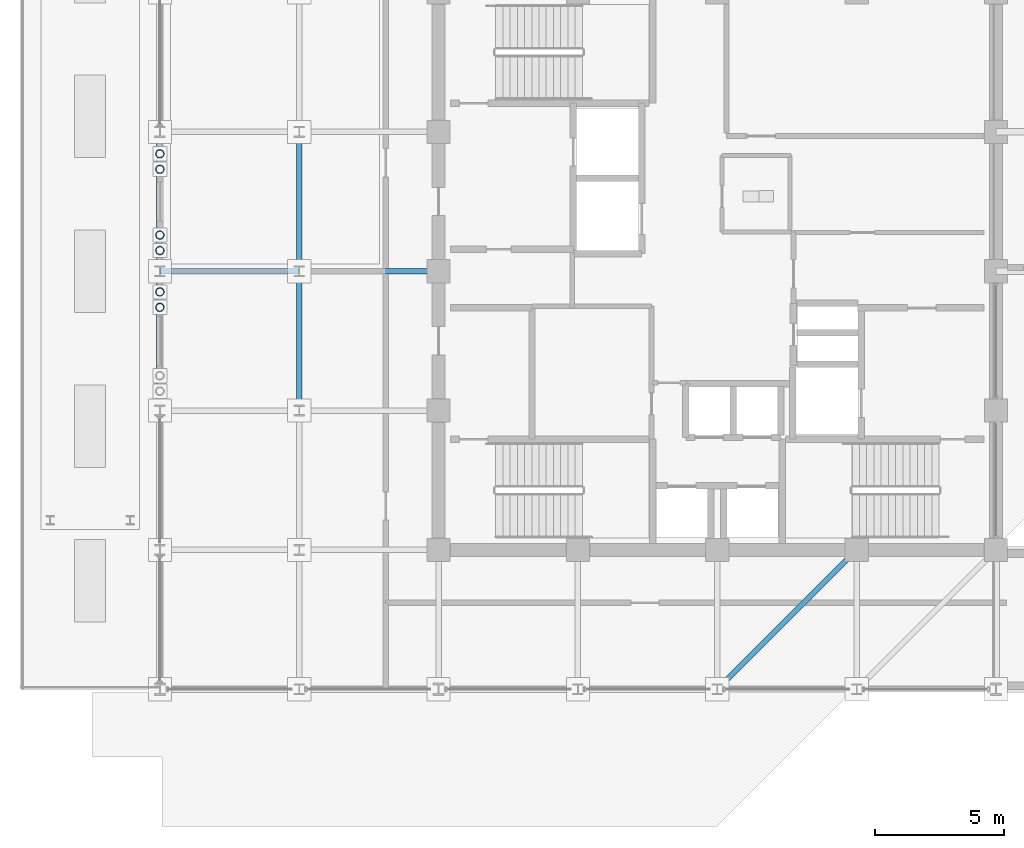
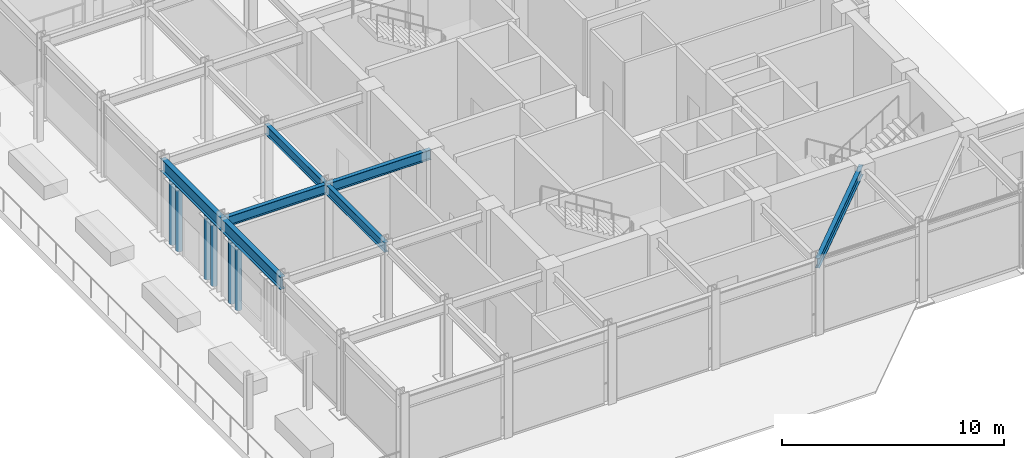
# One storey, part 4 of 22: 7 beams, 6 members.
"""IFC4 building model written with IfcOpenShell, lengths in metres."""

from ifc_helpers import new_model, si_unit, direction, frame, origin, origin_2d, place, context, subcontext, project, spatial, hollow_circle, i_section, extrude, material, material_profile, profile_set, type_object, element, save


model = new_model("IFC4")

# Units and contexts
model_context = context("Model", 3, precision=1e-05, world=origin(), true_north=direction((0.0, 1.0)))
body_context = subcontext(model_context, "Body", "Model", "MODEL_VIEW")
ifc_project = project(units=[si_unit("LENGTHUNIT", "METRE"), si_unit("AREAUNIT", "SQUARE_METRE"), si_unit("VOLUMEUNIT", "CUBIC_METRE"), si_unit("PLANEANGLEUNIT", "RADIAN"), si_unit("MASSUNIT", "GRAM", prefix="KILO")], contexts=[model_context])

# Site, building, storey
site_placement = place(None, origin())
site = spatial("IfcSite", under=ifc_project, at=site_placement, CompositionType="ELEMENT")
building_placement = place(site_placement, origin())
building = spatial("IfcBuilding", under=site, at=building_placement, Name="Surkhivell Harbour Commons", CompositionType="ELEMENT")
storey_placement = place(building_placement, frame((0.0, 0.0, 337.5)))
storey = spatial("IfcBuildingStorey", under=building, at=storey_placement, Name="L88", CompositionType="ELEMENT", Elevation=337.5)

# Beams
ifc_material = material(Name="Steel S355", Category="steel")
ifc_material_profile_1 = material_profile(ifc_material, i_section(OverallWidth=0.2099609375, OverallDepth=0.537109375, WebThickness=0.0107421875, FlangeThickness=0.017333984375, at=origin_2d()), Name="UB533x210x101")
ifc_profile_set_1 = profile_set([ifc_material_profile_1], Name="Steel S355")
beam_type_1 = type_object("IfcBeamType", Name="BM-GRD-533B", PredefinedType="BEAM", material=ifc_profile_set_1)
beam_1_placement = place(storey_placement, frame((-21.60009765625, 0.0, 3.951416015625), z_axis=(1.0, 0.0, 0.0), x_axis=(0.0, 1.0, 0.0)))
element("IfcBeam", 1, at=beam_1_placement, inside=storey, type_object=beam_type_1, Name="L88 Floor Girder (-21.6,0.0)", PredefinedType="BEAM", context=body_context, shape_type="SweptSolid", body=[
    extrude(i_section(OverallWidth=0.2099609375, OverallDepth=0.537109375, WebThickness=0.0107421875, FlangeThickness=0.017333984375, at=origin_2d()), origin(), (0.0, 0.0, 1.0), 5.400146484375),
])
for number, where, z_axis, x_axis, name in (
    (2, (-16.199951171875, -5.39990234375, 3.951416015625), (0.0, 1.0, 0.0), (-1.0, 0.0, 0.0), "L88 Floor Girder (-16.2,-5.4)"),
    (3, (-16.199951171875, 0.0, 3.951416015625), (0.0, 1.0, 0.0), (-1.0, 0.0, 0.0), "L88 Floor Girder (-16.2,0.0)"),
    (4, (-16.199951171875, 0.0, 3.951416015625), (1.0, 0.0, 0.0), (0.0, 1.0, 0.0), "L88 Floor Girder (-16.2,0.0)"),
):
    element("IfcBeam", number, at=place(storey_placement, frame(where, z_axis=z_axis, x_axis=x_axis)), inside=storey, type_object=beam_type_1, Name=name, PredefinedType="BEAM", context=body_context, shape_type="SweptSolid", body=[
        extrude(i_section(OverallWidth=0.2099609375, OverallDepth=0.537109375, WebThickness=0.0107421875, FlangeThickness=0.017333984375, at=origin_2d()), origin(), (0.0, 0.0, 1.0), 5.39990234375),
    ])
beam_2_placement = place(storey_placement, frame((0.0, -16.199951171875, 3.951416015625), z_axis=(0.707106781187, 0.707106781187, 0.0), x_axis=(-0.707106781187, 0.707106781187, 0.0)))
element("IfcBeam", 5, at=beam_2_placement, inside=storey, type_object=beam_type_1, Name="L88 Floor Girder (0.0,-16.2)", PredefinedType="BEAM", context=body_context, shape_type="SweptSolid", body=[
    extrude(i_section(OverallWidth=0.2099609375, OverallDepth=0.537109375, WebThickness=0.0107421875, FlangeThickness=0.017333984375, at=origin_2d()), origin(), (0.0, 0.0, 1.0), 7.63671875),
])
ifc_material_profile_2 = material_profile(ifc_material, i_section(OverallWidth=0.256103515625, OverallDepth=0.693115234375, WebThickness=0.014404296875, FlangeThickness=0.023681640625, at=origin_2d()), Name="UB686x254x170")
ifc_profile_set_2 = profile_set([ifc_material_profile_2], Name="Steel S355")
beam_type_2 = type_object("IfcBeamType", Name="BM-SPN-686", PredefinedType="SPANDREL", material=ifc_profile_set_2)
for number, where, z_axis, x_axis, name in (
    (6, (-21.60009765625, -5.39990234375, 3.87353515625), (0.0, 1.0, 0.0), (-1.0, 0.0, 0.0), "L88 Tube Spandrel (-21.6,-5.4)"),
    (7, (-21.60009765625, 0.0, 3.87353515625), (0.0, 1.0, 0.0), (-1.0, 0.0, 0.0), "L88 Tube Spandrel (-21.6,0.0)"),
):
    element("IfcBeam", number, at=place(storey_placement, frame(where, z_axis=z_axis, x_axis=x_axis)), inside=storey, type_object=beam_type_2, Name=name, PredefinedType="SPANDREL", context=body_context, shape_type="SweptSolid", body=[
        extrude(i_section(OverallWidth=0.256103515625, OverallDepth=0.693115234375, WebThickness=0.014404296875, FlangeThickness=0.023681640625, at=origin_2d()), origin(), (0.0, 0.0, 1.0), 5.39990234375),
    ])

# Members
ifc_material_profile_3 = material_profile(ifc_material, hollow_circle(Radius=0.161865234375, WallThickness=0.01611328125, at=origin_2d()), Name="CHS323x16")
ifc_profile_set_3 = profile_set([ifc_material_profile_3], Name="Steel S355")
member_type = type_object("IfcMemberType", Name="MEM-STR-CHS323", PredefinedType="STRUT", material=ifc_profile_set_3)
for number, where, z_axis, x_axis, name in (
    (8, (-21.60009765625, -1.39990234375, 0.02001953125), (0.0, 0.0, 1.0), (1.0, 0.0, 0.0), "L88 Sky-Garden Canopy Strut OS-03"),
    (9, (-21.60009765625, -0.800048828125, 0.02001953125), (0.0, 0.0, 1.0), (1.0, 0.0, 0.0), "L88 Sky-Garden Canopy Strut OS-04"),
    (10, (-21.60009765625, 0.800048828125, 0.02001953125), (0.0, 0.0, 1.0), (1.0, 0.0, 0.0), "L88 Sky-Garden Canopy Strut OS-05"),
    (11, (-21.60009765625, 1.39990234375, 0.02001953125), (0.0, 0.0, 1.0), (1.0, 0.0, 0.0), "L88 Sky-Garden Canopy Strut OS-06"),
    (12, (-21.60009765625, 3.949951171875, 0.02001953125), (0.0, 0.0, 1.0), (1.0, 0.0, 0.0), "L88 Sky-Garden Canopy Strut OS-07"),
    (13, (-21.60009765625, 4.550048828125, 0.02001953125), (0.0, 0.0, 1.0), (1.0, 0.0, 0.0), "L88 Sky-Garden Canopy Strut OS-08"),
):
    element("IfcMember", number, at=place(storey_placement, frame(where, z_axis=z_axis, x_axis=x_axis)), inside=storey, type_object=member_type, Name=name, PredefinedType="STRUT", context=body_context, shape_type="SweptSolid", body=[
        extrude(hollow_circle(Radius=0.161865234375, WallThickness=0.01611328125, at=origin_2d()), origin(), (0.0, 0.0, 1.0), 3.510986328125),
    ])

save(model, "model.ifc")
